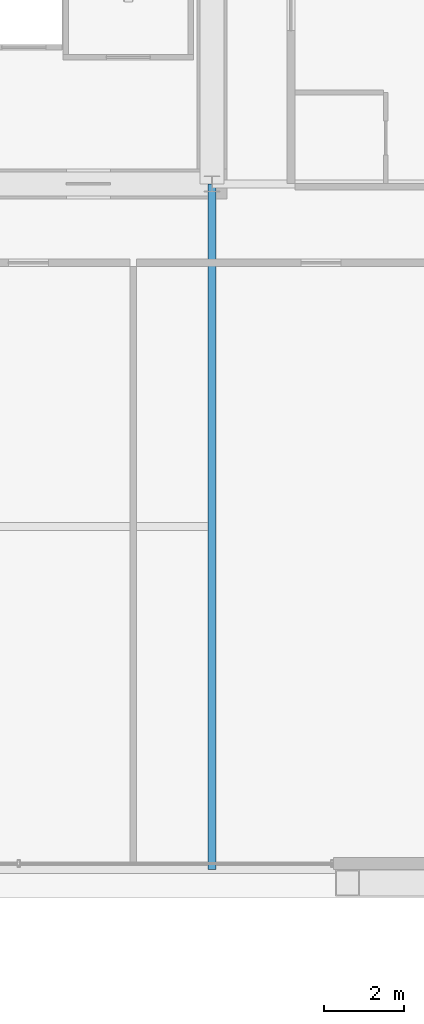
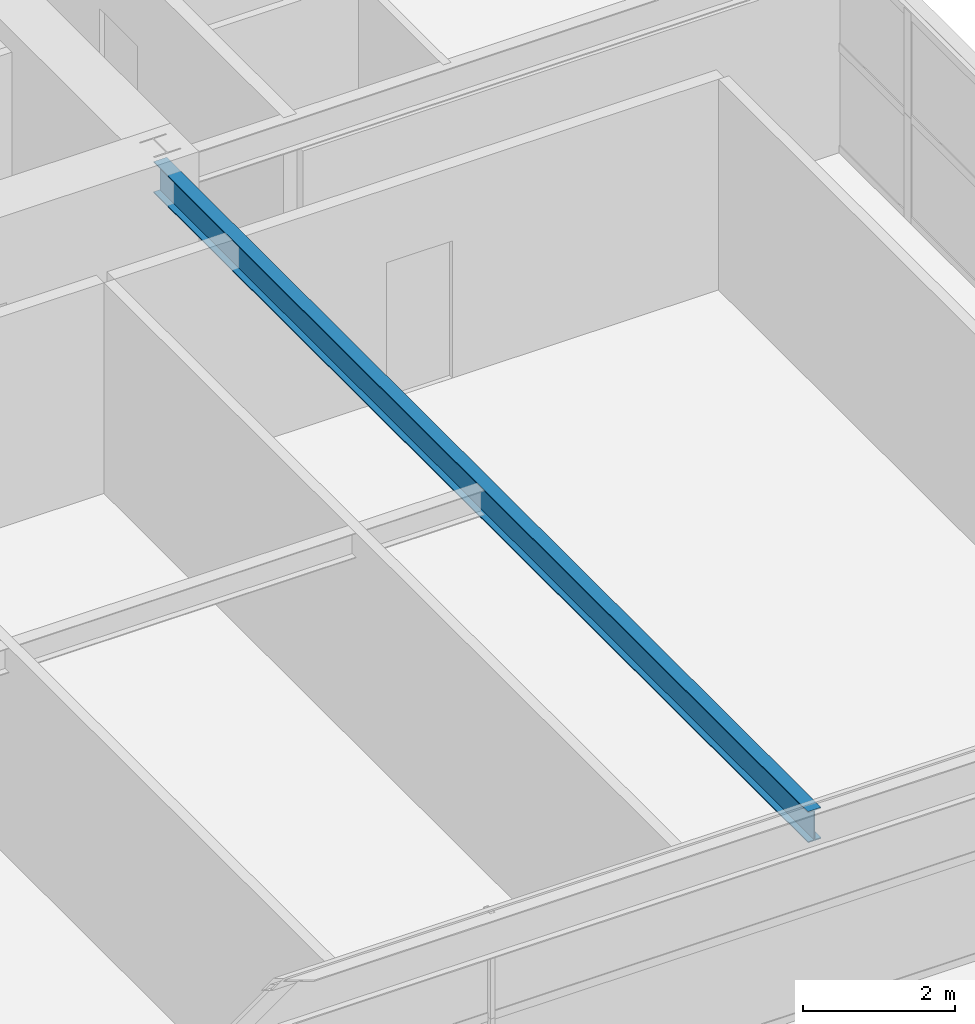
# One storey, part 18 of 43: 1 beam.
"""IFC4 building model written with IfcOpenShell, lengths in metres."""

from ifc_helpers import new_model, si_unit, direction, frame, origin, origin_2d, place, context, subcontext, project, spatial, i_section, extrude, source, transform, mapped, material, material_profile, profile_set, type_object, element, save


model = new_model("IFC4")

# Units and contexts
model_context = context("Model", 3, precision=1e-05, world=origin(), true_north=direction((0.0, 1.0)))
body_context = subcontext(model_context, "Body", "Model", "MODEL_VIEW")
ifc_project = project(units=[si_unit("LENGTHUNIT", "METRE"), si_unit("AREAUNIT", "SQUARE_METRE"), si_unit("VOLUMEUNIT", "CUBIC_METRE"), si_unit("PLANEANGLEUNIT", "RADIAN"), si_unit("MASSUNIT", "GRAM", prefix="KILO"), si_unit("THERMODYNAMICTEMPERATUREUNIT", "KELVIN"), si_unit("POWERUNIT", "WATT")], contexts=[model_context])

# Site, building, storey
site_placement = place(None, origin())
site = spatial("IfcSite", under=ifc_project, at=site_placement, CompositionType="ELEMENT")
building_placement = place(site_placement, origin())
building = spatial("IfcBuilding", under=site, at=building_placement, Name="Yuzanri Waterfront Tower", CompositionType="ELEMENT")
storey_placement = place(building_placement, frame((0.0, 0.0, 138.0)))
storey = spatial("IfcBuildingStorey", under=building, at=storey_placement, Name="L36", CompositionType="ELEMENT", Elevation=138.0)

# Beam
ifc_material = material(Name="Steel Q355B", Category="steel")
ifc_material_profile = material_profile(ifc_material, i_section(OverallWidth=0.199951171875, OverallDepth=0.5, WebThickness=0.010009765625, FlangeThickness=0.01611328125, at=origin_2d()), Name="HN 500x200x10x16")
ifc_profile_set = profile_set([ifc_material_profile], Name="Steel Q355B")
beam_type = type_object("IfcBeamType", Name="Secondary Floor Beam Q355B HN 500x200", PredefinedType="BEAM", material=ifc_profile_set)
shared_shape = source(origin(), body_context, "Body", "SweptSolid", [
    extrude(i_section(OverallWidth=0.199951171875, OverallDepth=0.5, WebThickness=0.010009765625, FlangeThickness=0.01611328125, at=origin_2d()), origin(), (0.0, 0.0, 1.0), 17.199951171875),
])
beam_placement = place(storey_placement, frame((50.199951171875, 19.39990234375, 3.1298828125), z_axis=(0.0, -1.0, 0.0), x_axis=(1.0, 0.0, 0.0)))
element("IfcBeam", 1, at=beam_placement, inside=storey, type_object=beam_type, Name="L36 South-East Core Line Beam", PredefinedType="BEAM", context=body_context, shape_type="MappedRepresentation", body=[
    mapped(shared_shape, transform((0.0, 0.0, 0.0), scale=1.0)),
])

save(model, "model.ifc")
